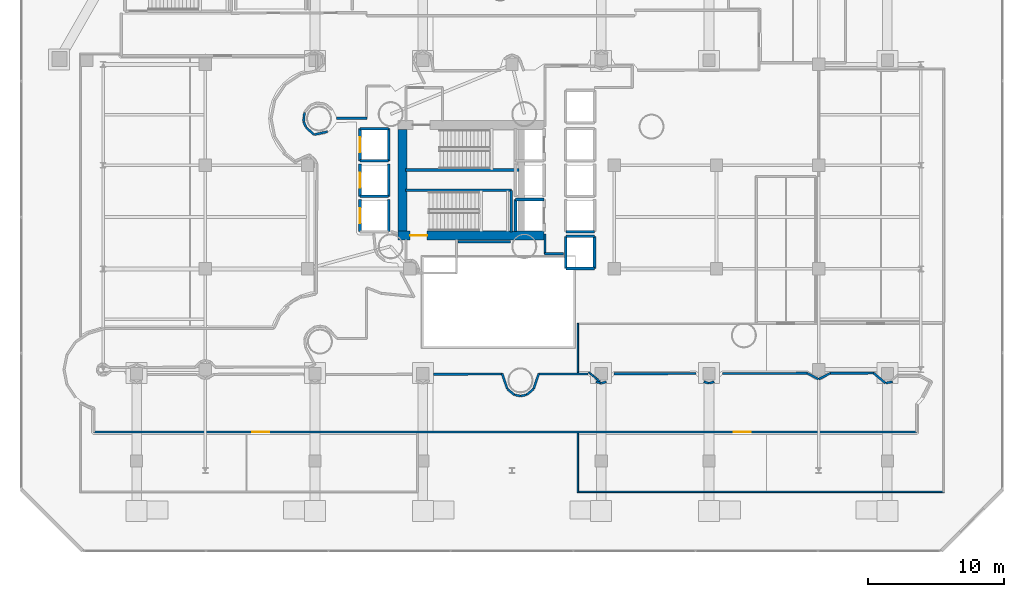
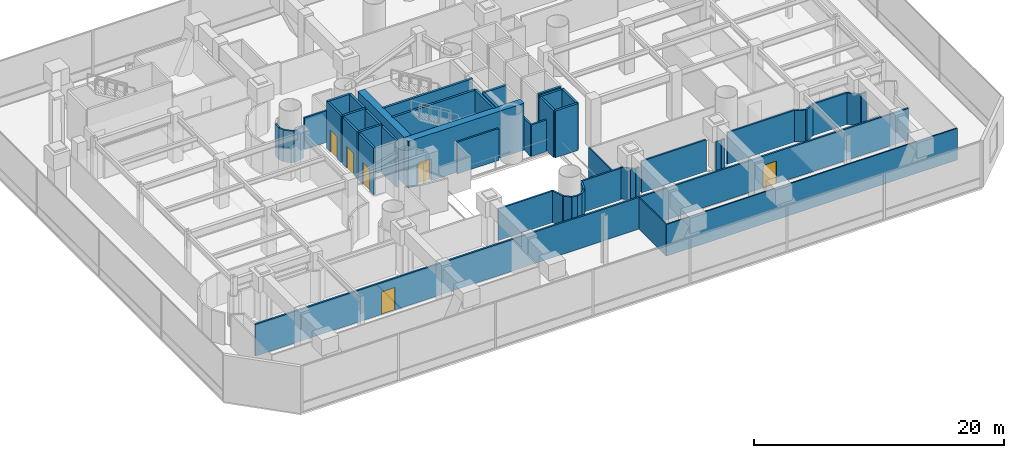
# One storey, part 32 of 45: 53 walls, 6 doors, 6 openings.
"""IFC4 building model written with IfcOpenShell, lengths in metres."""

from ifc_helpers import new_model, si_unit, direction, frame, frame_2d, origin, place, context, subcontext, project, spatial, rectangle, extrude, material, layer, layer_set, type_object, element, fill, save


model = new_model("IFC4")

# Units and contexts
model_context = context("Model", 3, precision=1e-05, world=origin(), true_north=direction((0.0, 1.0)))
body_context = subcontext(model_context, "Body", "Model", "MODEL_VIEW")
ifc_project = project(units=[si_unit("LENGTHUNIT", "METRE"), si_unit("AREAUNIT", "SQUARE_METRE"), si_unit("VOLUMEUNIT", "CUBIC_METRE"), si_unit("PLANEANGLEUNIT", "RADIAN"), si_unit("MASSUNIT", "GRAM", prefix="KILO")], contexts=[model_context])

# Site, building, storey
site_placement = place(None, origin())
site = spatial("IfcSite", under=ifc_project, at=site_placement, CompositionType="ELEMENT")
building_placement = place(site_placement, origin())
building = spatial("IfcBuilding", under=site, at=building_placement, Name="Qianvela Tower", CompositionType="ELEMENT")
storey_placement = place(building_placement, frame((0.0, 0.0, 11.0)))
storey = spatial("IfcBuildingStorey", under=building, at=storey_placement, Name="L02", CompositionType="ELEMENT", Elevation=11.0)

# Wall, opening, door
ifc_material_1 = material(Name="Concrete C60", Category="concrete")
ifc_layer_1 = layer(ifc_material_1, 0.64990234375)
ifc_layer_set_1 = layer_set([ifc_layer_1], Name="Concrete C60")
wall_type_1 = type_object("IfcWallType", Name="WT-CORE-650", PredefinedType="SHEAR", material=ifc_layer_set_1)
wall_1_placement = place(storey_placement, frame((29.1298828125, 24.655029296875, 0.0), z_axis=(0.0, 0.0, 1.0), x_axis=(1.0, 0.0, 0.0)))
wall_1 = element("IfcWall", 1, at=wall_1_placement, inside=storey, type_object=wall_type_1, Name="L02 South Core Shear Wall", PredefinedType="SHEAR", context=body_context, shape_type="SweptSolid", body=[
    extrude(rectangle(XDim=10.72021484375, YDim=0.64990234375, at=frame_2d((5.360107421875, 0.0))), origin(), (0.0, 0.0, 1.0), 4.580078125),
])
opening_1_placement = place(wall_1_placement, frame((0.89501953125, 0.0, 0.0)))
opening_1 = element("IfcOpeningElement", 2, at=opening_1_placement, cuts=wall_1, Name="Opening D-ST1", PredefinedType="OPENING", context=body_context, shape_type="SweptSolid", body=[
    extrude(rectangle(XDim=1.25, YDim=2.14990234375, at=frame_2d((0.625, 1.074951171875))), frame((0.0, 0.3349609375, 0.0), z_axis=(0.0, -1.0, 0.0), x_axis=(1.0, 0.0, 0.0)), (0.0, 0.0, 1.0), 0.669921875),
])
ifc_material_2 = material(Name="Galvanised Fire Steel Q355B", Category="steel")
door_type_1 = type_object("IfcDoorType", Name="DT-STAIR-FD90", OperationType="NOTDEFINED", PredefinedType="DOOR", material=ifc_material_2)
door_1_placement = place(opening_1_placement, origin())
door_1 = element("IfcDoor", 3, at=door_1_placement, inside=storey, type_object=door_type_1, Name="L02 Stair ST-2 Exit Door", OperationType="SINGLE_SWING_RIGHT", OverallHeight=2.14990234375, OverallWidth=1.25, PredefinedType="DOOR", context=body_context, shape_type="SweptSolid", body=[
    extrude(rectangle(XDim=1.25, YDim=2.14990234375, at=frame_2d((0.625, 1.074951171875))), frame((0.0, 0.02490234375, 0.0), z_axis=(0.0, -1.0, 0.0), x_axis=(1.0, 0.0, 0.0)), (0.0, 0.0, 1.0), 0.050048828125),
])
fill(opening_1, door_1)

# Walls
wall_2_placement = place(storey_placement, frame((29.455078125, 24.97998046875, 0.0), z_axis=(0.0, 0.0, 1.0), x_axis=(0.0, 1.0, 0.0)))
element("IfcWall", 4, at=wall_2_placement, inside=storey, type_object=wall_type_1, Name="L02 West Core Shear Wall", PredefinedType="SHEAR", context=body_context, shape_type="SweptSolid", body=[
    extrude(rectangle(XDim=7.43994140625, YDim=0.64990234375, at=frame_2d((3.719970703125, 0.0))), origin(), (0.0, 0.0, 1.0), 4.580078125),
])
ifc_material_3 = material(Name="Fire-Rated Gypsum and Concrete Block", Category="concrete")
ifc_layer_2 = layer(ifc_material_3, 0.159912109375)
ifc_layer_set_2 = layer_set([ifc_layer_2], Name="Fire-Rated Gypsum and Concrete Block")
wall_type_2 = type_object("IfcWallType", Name="WT-CORR-160", PredefinedType="PARTITIONING", material=ifc_layer_set_2)
wall_3_placement = place(storey_placement, frame((41.280029296875, 23.31103515625, 0.0), z_axis=(0.0, 0.0, 1.0), x_axis=(-1.0, 0.0, 0.0)))
element("IfcWall", 5, at=wall_3_placement, inside=storey, type_object=wall_type_2, Name="L02 Partition 22", PredefinedType="PARTITIONING", context=body_context, shape_type="SweptSolid", body=[
    extrude(rectangle(XDim=1.400146484375, YDim=0.159912109375, at=frame_2d((0.7001953125, 0.0))), origin(), (0.0, 0.0, 1.0), 3.10009765625),
])
wall_4_placement = place(storey_placement, frame((39.910888671875, 23.27978515625, 0.0), z_axis=(0.0, 0.0, 1.0), x_axis=(0.009397771291, 0.999955839972, 0.0)))
element("IfcWall", 6, at=wall_4_placement, inside=storey, type_object=wall_type_2, Name="L02 Partition 23", PredefinedType="PARTITIONING", context=body_context, shape_type="SweptSolid", body=[
    extrude(rectangle(XDim=1.480712890625, YDim=0.159912109375, at=frame_2d((0.740234375, 0.0))), origin(), (0.0, 0.0, 1.0), 3.10009765625),
])
wall_5_placement = place(storey_placement, frame((37.388671875, 24.180908203125, 0.0), z_axis=(0.0, 0.0, 1.0), x_axis=(-1.0, 0.0, 0.0)))
element("IfcWall", 7, at=wall_5_placement, inside=storey, type_object=wall_type_2, Name="L02 Partition 35", PredefinedType="PARTITIONING", context=body_context, shape_type="SweptSolid", body=[
    extrude(rectangle(XDim=3.858642578125, YDim=0.159912109375, at=frame_2d((1.92919921875, 0.0))), origin(), (0.0, 0.0, 1.0), 3.10009765625),
])
wall_6_placement = place(storey_placement, frame((31.74267578125, 14.464111328125, 0.0), z_axis=(0.0, 0.0, 1.0), x_axis=(0.999996856908, 0.002507224521, 0.0)))
element("IfcWall", 8, at=wall_6_placement, inside=storey, type_object=wall_type_2, Name="L02 Partition 58", PredefinedType="PARTITIONING", context=body_context, shape_type="SweptSolid", body=[
    extrude(rectangle(XDim=5.0634765625, YDim=0.159912109375, at=frame_2d((2.53173828125, 0.0))), origin(), (0.0, 0.0, 1.0), 3.10009765625),
])
wall_7_placement = place(storey_placement, frame((36.776611328125, 14.497802734375, 0.0), z_axis=(0.0, 0.0, 1.0), x_axis=(0.324981296344, -0.94572044338, 0.0)))
element("IfcWall", 9, at=wall_7_placement, inside=storey, type_object=wall_type_2, Name="L02 Partition 59", PredefinedType="PARTITIONING", context=body_context, shape_type="SweptSolid", body=[
    extrude(rectangle(XDim=1.177978515625, YDim=0.159912109375, at=frame_2d((0.5888671875, 0.0))), origin(), (0.0, 0.0, 1.0), 3.10009765625),
])
wall_8_placement = place(storey_placement, frame((37.169189453125, 13.369873046875, 0.0), z_axis=(0.0, 0.0, 1.0), x_axis=(0.772818338666, -0.634627304346, 0.0)))
element("IfcWall", 10, at=wall_8_placement, inside=storey, type_object=wall_type_2, Name="L02 Partition 60", PredefinedType="PARTITIONING", context=body_context, shape_type="SweptSolid", body=[
    extrude(rectangle(XDim=0.650146484375, YDim=0.159912109375, at=frame_2d((0.3251953125, 0.0))), origin(), (0.0, 0.0, 1.0), 3.10009765625),
])
for number, where, z_axis, x_axis, name in (
    (11, (37.685302734375, 12.950927734375, 0.0), (0.0, 0.0, 1.0), (0.980709346372, -0.195471680655, 0.0), "L02 Partition 61"),
    (12, (38.1259765625, 12.865478515625, 0.0), (0.0, 0.0, 1.0), (0.980709346372, 0.195471680655, 0.0), "L02 Partition 62"),
):
    element("IfcWall", number, at=place(storey_placement, frame(where, z_axis=z_axis, x_axis=x_axis)), inside=storey, type_object=wall_type_2, Name=name, PredefinedType="PARTITIONING", context=body_context, shape_type="SweptSolid", body=[
        extrude(rectangle(XDim=0.437255859375, YDim=0.159912109375, at=frame_2d((0.21875, 0.0))), origin(), (0.0, 0.0, 1.0), 3.10009765625),
    ])
wall_9_placement = place(storey_placement, frame((38.568359375, 12.957275390625, 0.0), z_axis=(0.0, 0.0, 1.0), x_axis=(0.772818338666, 0.634627304346, 0.0)))
element("IfcWall", 13, at=wall_9_placement, inside=storey, type_object=wall_type_2, Name="L02 Partition 63", PredefinedType="PARTITIONING", context=body_context, shape_type="SweptSolid", body=[
    extrude(rectangle(XDim=0.650146484375, YDim=0.159912109375, at=frame_2d((0.3251953125, 0.0))), origin(), (0.0, 0.0, 1.0), 3.10009765625),
])
wall_10_placement = place(storey_placement, frame((39.08056640625, 13.3837890625, 0.0), z_axis=(0.0, 0.0, 1.0), x_axis=(0.324745738033, 0.945801356327, 0.0)))
element("IfcWall", 14, at=wall_10_placement, inside=storey, type_object=wall_type_2, Name="L02 Partition 64", PredefinedType="PARTITIONING", context=body_context, shape_type="SweptSolid", body=[
    extrude(rectangle(XDim=1.184814453125, YDim=0.159912109375, at=frame_2d((0.59228515625, 0.0))), origin(), (0.0, 0.0, 1.0), 3.10009765625),
])
wall_11_placement = place(storey_placement, frame((39.43603515625, 14.4833984375, 0.0), z_axis=(0.0, 0.0, 1.0), x_axis=(0.999996947218, 0.002470942103, 0.0)))
element("IfcWall", 15, at=wall_11_placement, inside=storey, type_object=wall_type_2, Name="L02 Partition 65", PredefinedType="PARTITIONING", context=body_context, shape_type="SweptSolid", body=[
    extrude(rectangle(XDim=3.65576171875, YDim=0.159912109375, at=frame_2d((1.827880859375, 0.0))), origin(), (0.0, 0.0, 1.0), 3.10009765625),
])
wall_12_placement = place(storey_placement, frame((43.663330078125, 13.913330078125, 0.0), z_axis=(0.0, 0.0, 1.0), x_axis=(0.956871232999, -0.290512380904, 0.0)))
element("IfcWall", 16, at=wall_12_placement, inside=storey, type_object=wall_type_2, Name="L02 Partition 67", PredefinedType="PARTITIONING", context=body_context, shape_type="SweptSolid", body=[
    extrude(rectangle(XDim=0.38916015625, YDim=0.159912109375, at=frame_2d((0.194580078125, 0.0))), origin(), (0.0, 0.0, 1.0), 3.10009765625),
])
wall_13_placement = place(storey_placement, frame((44.0537109375, 13.80029296875, 0.0), z_axis=(0.0, 0.0, 1.0), x_axis=(0.956818229542, 0.29068690307, 0.0)))
element("IfcWall", 17, at=wall_13_placement, inside=storey, type_object=wall_type_2, Name="L02 Partition 68", PredefinedType="PARTITIONING", context=body_context, shape_type="SweptSolid", body=[
    extrude(rectangle(XDim=0.388916015625, YDim=0.159912109375, at=frame_2d((0.1943359375, 0.0))), origin(), (0.0, 0.0, 1.0), 3.10009765625),
])
wall_14_placement = place(storey_placement, frame((45.002197265625, 14.497314453125, 0.0), z_axis=(0.0, 0.0, 1.0), x_axis=(0.999996899713, 0.002490093109, 0.0)))
element("IfcWall", 18, at=wall_14_placement, inside=storey, type_object=wall_type_2, Name="L02 Partition 70", PredefinedType="PARTITIONING", context=body_context, shape_type="SweptSolid", body=[
    extrude(rectangle(XDim=5.980712890625, YDim=0.159912109375, at=frame_2d((2.990234375, 0.0))), origin(), (0.0, 0.0, 1.0), 3.10009765625),
])
wall_15_placement = place(storey_placement, frame((51.57421875, 13.913330078125, 0.0), z_axis=(0.0, 0.0, 1.0), x_axis=(0.956818229542, -0.29068690307, 0.0)))
element("IfcWall", 19, at=wall_15_placement, inside=storey, type_object=wall_type_2, Name="L02 Partition 72", PredefinedType="PARTITIONING", context=body_context, shape_type="SweptSolid", body=[
    extrude(rectangle(XDim=0.388916015625, YDim=0.159912109375, at=frame_2d((0.1943359375, 0.0))), origin(), (0.0, 0.0, 1.0), 3.10009765625),
])
wall_16_placement = place(storey_placement, frame((51.96435546875, 13.80029296875, 0.0), z_axis=(0.0, 0.0, 1.0), x_axis=(0.956871232999, 0.290512380904, 0.0)))
element("IfcWall", 20, at=wall_16_placement, inside=storey, type_object=wall_type_2, Name="L02 Partition 73", PredefinedType="PARTITIONING", context=body_context, shape_type="SweptSolid", body=[
    extrude(rectangle(XDim=0.38916015625, YDim=0.159912109375, at=frame_2d((0.194580078125, 0.0))), origin(), (0.0, 0.0, 1.0), 3.10009765625),
])
wall_17_placement = place(storey_placement, frame((52.932861328125, 14.51708984375, 0.0), z_axis=(0.0, 0.0, 1.0), x_axis=(0.999996863017, 0.002504786475, 0.0)))
element("IfcWall", 21, at=wall_17_placement, inside=storey, type_object=wall_type_2, Name="L02 Partition 75", PredefinedType="PARTITIONING", context=body_context, shape_type="SweptSolid", body=[
    extrude(rectangle(XDim=6.238037109375, YDim=0.159912109375, at=frame_2d((3.119140625, 0.0))), origin(), (0.0, 0.0, 1.0), 3.10009765625),
])
wall_18_placement = place(storey_placement, frame((59.156494140625, 14.536376953125, 0.0), z_axis=(0.0, 0.0, 1.0), x_axis=(0.886030613639, -0.463626737467, 0.0)))
element("IfcWall", 22, at=wall_18_placement, inside=storey, type_object=wall_type_2, Name="L02 Partition 76", PredefinedType="PARTITIONING", context=body_context, shape_type="SweptSolid", body=[
    extrude(rectangle(XDim=0.935791015625, YDim=0.159912109375, at=frame_2d((0.4677734375, 0.0))), origin(), (0.0, 0.0, 1.0), 3.10009765625),
])
wall_19_placement = place(storey_placement, frame((60.014404296875, 14.1025390625, 0.0), z_axis=(0.0, 0.0, 1.0), x_axis=(0.885775798401, 0.464113385895, 0.0)))
element("IfcWall", 23, at=wall_19_placement, inside=storey, type_object=wall_type_2, Name="L02 Partition 77", PredefinedType="PARTITIONING", context=body_context, shape_type="SweptSolid", body=[
    extrude(rectangle(XDim=0.943115234375, YDim=0.159912109375, at=frame_2d((0.4716796875, 0.0))), origin(), (0.0, 0.0, 1.0), 3.10009765625),
])
wall_20_placement = place(storey_placement, frame((60.83544921875, 14.536865234375, 0.0), z_axis=(0.0, 0.0, 1.0), x_axis=(0.99999684785, 0.002510834359, 0.0)))
element("IfcWall", 24, at=wall_20_placement, inside=storey, type_object=wall_type_2, Name="L02 Partition 78", PredefinedType="PARTITIONING", context=body_context, shape_type="SweptSolid", body=[
    extrude(rectangle(XDim=3.208740234375, YDim=0.159912109375, at=frame_2d((1.6044921875, 0.0))), origin(), (0.0, 0.0, 1.0), 3.10009765625),
])
wall_21_placement = place(storey_placement, frame((64.02392578125, 14.55224609375, 0.0), z_axis=(0.0, 0.0, 1.0), x_axis=(0.764638438323, -0.644459508921, 0.0)))
element("IfcWall", 25, at=wall_21_placement, inside=storey, type_object=wall_type_2, Name="L02 Partition 79", PredefinedType="PARTITIONING", context=body_context, shape_type="SweptSolid", body=[
    extrude(rectangle(XDim=1.1376953125, YDim=0.159912109375, at=frame_2d((0.56884765625, 0.0))), origin(), (0.0, 0.0, 1.0), 3.10009765625),
])
wall_22_placement = place(storey_placement, frame((64.919921875, 13.8125, 0.0), z_axis=(0.0, 0.0, 1.0), x_axis=(0.980763363144, 0.195200475189, 0.0)))
element("IfcWall", 26, at=wall_22_placement, inside=storey, type_object=wall_type_2, Name="L02 Partition 80", PredefinedType="PARTITIONING", context=body_context, shape_type="SweptSolid", body=[
    extrude(rectangle(XDim=0.5126953125, YDim=0.159912109375, at=frame_2d((0.25634765625, 0.0))), origin(), (0.0, 0.0, 1.0), 3.10009765625),
])

# Wall, openings, doors
wall_23_placement = place(storey_placement, frame((67.199951171875, 10.23095703125, 0.0), z_axis=(0.0, 0.0, 1.0), x_axis=(-1.0, 0.0, 0.0)))
wall_23 = element("IfcWall", 27, at=wall_23_placement, inside=storey, type_object=wall_type_2, Name="L02 Partition 85", PredefinedType="PARTITIONING", context=body_context, shape_type="SweptSolid", body=[
    extrude(rectangle(XDim=60.39990234375, YDim=0.159912109375, at=frame_2d((30.199951171875, 0.0))), origin(), (0.0, 0.0, 1.0), 3.10009765625),
])
opening_2_placement = place(wall_23_placement, frame((47.50341796875, 0.0, 0.0)))
opening_2 = element("IfcOpeningElement", 28, at=opening_2_placement, cuts=wall_23, Name="Opening D-LG1", PredefinedType="OPENING", context=body_context, shape_type="SweptSolid", body=[
    extrude(rectangle(XDim=1.25, YDim=2.199951171875, at=frame_2d((0.625, 1.10009765625))), frame((0.0, 0.08984375, 0.0), z_axis=(0.0, -1.0, 0.0), x_axis=(1.0, 0.0, 0.0)), (0.0, 0.0, 1.0), 0.179931640625),
])
opening_3_placement = place(wall_23_placement, frame((12.19677734375, 0.0, 0.0)))
opening_3 = element("IfcOpeningElement", 29, at=opening_3_placement, cuts=wall_23, Name="Opening D-LG1", PredefinedType="OPENING", context=body_context, shape_type="SweptSolid", body=[
    extrude(rectangle(XDim=1.25, YDim=2.199951171875, at=frame_2d((0.625, 1.10009765625))), frame((0.0, 0.08984375, 0.0), z_axis=(0.0, -1.0, 0.0), x_axis=(1.0, 0.0, 0.0)), (0.0, 0.0, 1.0), 0.179931640625),
])
ifc_material_4 = material(Name="Anodised Aluminium Acoustic Glass Door", Category="aluminium")
door_type_2 = type_object("IfcDoorType", Name="DT-LOUNGE-1250", OperationType="NOTDEFINED", PredefinedType="DOOR", material=ifc_material_4)
door_2_placement = place(opening_2_placement, origin())
door_2 = element("IfcDoor", 30, at=door_2_placement, inside=storey, type_object=door_type_2, Name="L02 Door L02 Co-working Innovation Office South to L02 Concourse Gallery Corridor", OperationType="SINGLE_SWING_RIGHT", OverallHeight=2.199951171875, OverallWidth=1.25, PredefinedType="DOOR", context=body_context, shape_type="SweptSolid", body=[
    extrude(rectangle(XDim=1.25, YDim=2.199951171875, at=frame_2d((0.625, 1.10009765625))), frame((0.0, 0.02490234375, 0.0), z_axis=(0.0, -1.0, 0.0), x_axis=(1.0, 0.0, 0.0)), (0.0, 0.0, 1.0), 0.050048828125),
])
fill(opening_2, door_2)
door_3_placement = place(opening_3_placement, origin())
door_3 = element("IfcDoor", 31, at=door_3_placement, inside=storey, type_object=door_type_2, Name="L02 Door L02 Co-working Desk Workspace East to L02 Concourse Gallery Corridor", OperationType="SINGLE_SWING_LEFT", OverallHeight=2.199951171875, OverallWidth=1.25, PredefinedType="DOOR", context=body_context, shape_type="SweptSolid", body=[
    extrude(rectangle(XDim=1.25, YDim=2.199951171875, at=frame_2d((0.625, 1.10009765625))), frame((0.0, 0.02490234375, 0.0), z_axis=(0.0, -1.0, 0.0), x_axis=(1.0, 0.0, 0.0)), (0.0, 0.0, 1.0), 0.050048828125),
])
fill(opening_3, door_3)

# Walls
wall_24_placement = place(storey_placement, frame((26.849853515625, 33.24853515625, 0.0), z_axis=(0.0, 0.0, 1.0), x_axis=(-0.999996856591, -0.002507350671, 0.0)))
element("IfcWall", 32, at=wall_24_placement, inside=storey, type_object=wall_type_2, Name="L02 Partition 142", PredefinedType="PARTITIONING", context=body_context, shape_type="SweptSolid", body=[
    extrude(rectangle(XDim=2.239501953125, YDim=0.159912109375, at=frame_2d((1.11962890625, 0.0))), origin(), (0.0, 0.0, 1.0), 3.10009765625),
])
wall_25_placement = place(storey_placement, frame((22.2724609375, 33.65966796875, 0.0), z_axis=(0.0, 0.0, 1.0), x_axis=(-0.097979696722, -0.995188413834, 0.0)))
element("IfcWall", 33, at=wall_25_placement, inside=storey, type_object=wall_type_2, Name="L02 Partition 148", PredefinedType="PARTITIONING", context=body_context, shape_type="SweptSolid", body=[
    extrude(rectangle(XDim=0.650390625, YDim=0.159912109375, at=frame_2d((0.3251953125, 0.0))), origin(), (0.0, 0.0, 1.0), 3.10009765625),
])
wall_26_placement = place(storey_placement, frame((22.2109375, 32.99755859375, 0.0), z_axis=(0.0, 0.0, 1.0), x_axis=(0.382828912614, -0.923819259199, 0.0)))
element("IfcWall", 34, at=wall_26_placement, inside=storey, type_object=wall_type_2, Name="L02 Partition 149", PredefinedType="PARTITIONING", context=body_context, shape_type="SweptSolid", body=[
    extrude(rectangle(XDim=0.436767578125, YDim=0.159912109375, at=frame_2d((0.21826171875, 0.0))), origin(), (0.0, 0.0, 1.0), 3.10009765625),
])
wall_27_placement = place(storey_placement, frame((22.3857421875, 32.5830078125, 0.0), z_axis=(0.0, 0.0, 1.0), x_axis=(0.737256999292, -0.675612401452, 0.0)))
element("IfcWall", 35, at=wall_27_placement, inside=storey, type_object=wall_type_2, Name="L02 Partition 150", PredefinedType="PARTITIONING", context=body_context, shape_type="SweptSolid", body=[
    extrude(rectangle(XDim=0.7880859375, YDim=0.159912109375, at=frame_2d((0.39404296875, 0.0))), origin(), (0.0, 0.0, 1.0), 3.10009765625),
])
wall_28_placement = place(storey_placement, frame((22.99462890625, 32.043212890625, 0.0), z_axis=(0.0, 0.0, 1.0), x_axis=(0.974625677984, 0.22384098779, 0.0)))
element("IfcWall", 36, at=wall_28_placement, inside=storey, type_object=wall_type_2, Name="L02 Partition 151", PredefinedType="PARTITIONING", context=body_context, shape_type="SweptSolid", body=[
    extrude(rectangle(XDim=0.998046875, YDim=0.159912109375, at=frame_2d((0.4990234375, 0.0))), origin(), (0.0, 0.0, 1.0), 3.10009765625),
])
ifc_material_5 = material(Name="Lightweight Gypsum Room Partition")
ifc_layer_3 = layer(ifc_material_5, 0.10498046875)
ifc_layer_set_3 = layer_set([ifc_layer_3], Name="Lightweight Gypsum Room Partition")
wall_type_3 = type_object("IfcWallType", Name="WT-PART-105", PredefinedType="PARTITIONING", material=ifc_layer_set_3)
wall_29_placement = place(storey_placement, frame((42.3310546875, 5.800048828125, 0.0), z_axis=(0.0, 0.0, 1.0), x_axis=(0.0, 1.0, 0.0)))
element("IfcWall", 37, at=wall_29_placement, inside=storey, type_object=wall_type_3, Name="L02 Partition 203", PredefinedType="PARTITIONING", context=body_context, shape_type="SweptSolid", body=[
    extrude(rectangle(XDim=4.337890625, YDim=0.10498046875, at=frame_2d((2.1689453125, 0.0))), origin(), (0.0, 0.0, 1.0), 3.10009765625),
])
wall_30_placement = place(storey_placement, frame((42.3310546875, 14.58349609375, 0.0), z_axis=(0.0, 0.0, 1.0), x_axis=(0.0, 1.0, 0.0)))
element("IfcWall", 38, at=wall_30_placement, inside=storey, type_object=wall_type_3, Name="L02 Partition 221", PredefinedType="PARTITIONING", context=body_context, shape_type="SweptSolid", body=[
    extrude(rectangle(XDim=3.616455078125, YDim=0.10498046875, at=frame_2d((1.80810546875, 0.0))), origin(), (0.0, 0.0, 1.0), 3.10009765625),
])
ifc_material_6 = material(Name="Insulated Gypsum Stud Partition")
ifc_layer_4 = layer(ifc_material_6, 0.1201171875)
ifc_layer_set_4 = layer_set([ifc_layer_4], Name="Insulated Gypsum Stud Partition")
wall_type_4 = type_object("IfcWallType", Name="WT-PART-120", PredefinedType="PARTITIONING", material=ifc_layer_set_4)
wall_31_placement = place(storey_placement, frame((69.199951171875, 5.8310546875, 0.0), z_axis=(0.0, 0.0, 1.0), x_axis=(-1.0, 0.0, 0.0)))
element("IfcWall", 39, at=wall_31_placement, inside=storey, type_object=wall_type_4, Name="L02 Partition 202", PredefinedType="PARTITIONING", context=body_context, shape_type="SweptSolid", body=[
    extrude(rectangle(XDim=26.89990234375, YDim=0.1201171875, at=frame_2d((13.449951171875, 0.0))), origin(), (0.0, 0.0, 1.0), 3.10009765625),
])
wall_32_placement = place(storey_placement, frame((43.948974609375, 13.927490234375, 0.0), z_axis=(0.0, 0.0, 1.0), x_axis=(-0.768618080951, 0.639707937761, 0.0)))
element("IfcWall", 40, at=wall_32_placement, inside=storey, type_object=wall_type_4, Name="L02 Partition 220", PredefinedType="PARTITIONING", context=body_context, shape_type="SweptSolid", body=[
    extrude(rectangle(XDim=1.05859375, YDim=0.1201171875, at=frame_2d((0.529296875, 0.0))), origin(), (0.0, 0.0, 1.0), 3.10009765625),
])
ifc_material_7 = material(Name="Concrete C50", Category="concrete")
ifc_layer_5 = layer(ifc_material_7, 0.199951171875)
ifc_layer_set_5 = layer_set([ifc_layer_5], Name="Concrete C50")
wall_type_5 = type_object("IfcWallType", Name="WT-SHAFT-200", PredefinedType="SOLIDWALL", material=ifc_layer_set_5)
wall_33_placement = place(storey_placement, frame((29.699951171875, 29.449951171875, 0.0), z_axis=(0.0, 0.0, 1.0), x_axis=(1.0, 0.0, 0.0)))
element("IfcWall", 41, at=wall_33_placement, inside=storey, type_object=wall_type_5, Name="L02 Stair ST-1 South Wall", PredefinedType="SOLIDWALL", context=body_context, shape_type="SweptSolid", body=[
    extrude(rectangle(XDim=8.300048828125, YDim=0.199951171875, at=frame_2d((4.14990234375, 0.0))), origin(), (0.0, 0.0, 1.0), 4.580078125),
])
wall_34_placement = place(storey_placement, frame((29.699951171875, 27.9599609375, 0.0), z_axis=(0.0, 0.0, 1.0), x_axis=(1.0, 0.0, 0.0)))
element("IfcWall", 42, at=wall_34_placement, inside=storey, type_object=wall_type_5, Name="L02 Stair ST-2 North Wall", PredefinedType="SOLIDWALL", context=body_context, shape_type="SweptSolid", body=[
    extrude(rectangle(XDim=7.75, YDim=0.199951171875, at=frame_2d((3.875, 0.0))), origin(), (0.0, 0.0, 1.0), 4.580078125),
])
wall_35_placement = place(storey_placement, frame((37.449951171875, 24.89990234375, 0.0), z_axis=(0.0, 0.0, 1.0), x_axis=(0.0, 1.0, 0.0)))
element("IfcWall", 43, at=wall_35_placement, inside=storey, type_object=wall_type_5, Name="L02 Stair ST-2 East Wall", PredefinedType="SOLIDWALL", context=body_context, shape_type="SweptSolid", body=[
    extrude(rectangle(XDim=3.06005859375, YDim=0.199951171875, at=frame_2d((1.530029296875, 0.0))), origin(), (0.0, 0.0, 1.0), 4.580078125),
])
wall_36_placement = place(storey_placement, frame((37.75, 24.919921875, 0.0), z_axis=(0.0, 0.0, 1.0), x_axis=(0.0, 1.0, 0.0)))
element("IfcWall", 44, at=wall_36_placement, inside=storey, type_object=wall_type_5, Name="L02 Lift FL-2 W Shaft Wall", PredefinedType="SOLIDWALL", context=body_context, shape_type="SweptSolid", body=[
    extrude(rectangle(XDim=2.360107421875, YDim=0.199951171875, at=frame_2d((1.18017578125, 0.0))), origin(), (0.0, 0.0, 1.0), 4.580078125),
])
wall_37_placement = place(storey_placement, frame((37.75, 27.280029296875, 0.0), z_axis=(0.0, 0.0, 1.0), x_axis=(1.0, 0.0, 0.0)))
element("IfcWall", 45, at=wall_37_placement, inside=storey, type_object=wall_type_5, Name="L02 Lift FL-2 N Shaft Wall", PredefinedType="SOLIDWALL", context=body_context, shape_type="SweptSolid", body=[
    extrude(rectangle(XDim=2.10009765625, YDim=0.199951171875, at=frame_2d((1.050048828125, 0.0))), origin(), (0.0, 0.0, 1.0), 4.580078125),
])
wall_38_placement = place(storey_placement, frame((28.449951171875, 30.1201171875, 0.0), z_axis=(0.0, 0.0, 1.0), x_axis=(0.0, 1.0, 0.0)))
element("IfcWall", 46, at=wall_38_placement, inside=storey, type_object=wall_type_5, Name="L02 Lift PL-L1 E Shaft Wall", PredefinedType="SOLIDWALL", context=body_context, shape_type="SweptSolid", body=[
    extrude(rectangle(XDim=2.35986328125, YDim=0.199951171875, at=frame_2d((1.179931640625, 0.0))), origin(), (0.0, 0.0, 1.0), 4.580078125),
])

# Wall, opening, door
wall_39_placement = place(storey_placement, frame((26.35009765625, 30.1201171875, 0.0), z_axis=(0.0, 0.0, 1.0), x_axis=(0.0, 1.0, 0.0)))
wall_39 = element("IfcWall", 47, at=wall_39_placement, inside=storey, type_object=wall_type_5, Name="L02 Lift PL-L1 W Shaft Wall", PredefinedType="SOLIDWALL", context=body_context, shape_type="SweptSolid", body=[
    extrude(rectangle(XDim=2.35986328125, YDim=0.199951171875, at=frame_2d((1.179931640625, 0.0))), origin(), (0.0, 0.0, 1.0), 4.580078125),
])
opening_4_placement = place(wall_39_placement, frame((0.6298828125, 0.0, 0.0)))
opening_4 = element("IfcOpeningElement", 48, at=opening_4_placement, cuts=wall_39, Name="Opening LD-01", PredefinedType="OPENING", context=body_context, shape_type="SweptSolid", body=[
    extrude(rectangle(XDim=1.10009765625, YDim=2.14990234375, at=frame_2d((0.550048828125, 1.074951171875))), frame((0.0, 0.10986328125, 0.0), z_axis=(0.0, -1.0, 0.0), x_axis=(1.0, 0.0, 0.0)), (0.0, 0.0, 1.0), 0.219970703125),
])
ifc_material_8 = material(Name="Brushed Stainless Steel Lift Landing Door", Category="steel")
door_type_3 = type_object("IfcDoorType", Name="DT-LIFT-SLIDE-1100", OperationType="SLIDING_TO_LEFT", PredefinedType="DOOR", material=ifc_material_8)
door_4_placement = place(opening_4_placement, origin())
door_4 = element("IfcDoor", 49, at=door_4_placement, inside=storey, type_object=door_type_3, Name="L02 Lift PL-L1 Sliding Landing Door", OperationType="SLIDING_TO_LEFT", OverallHeight=2.14990234375, OverallWidth=1.10009765625, PredefinedType="DOOR", context=body_context, shape_type="SweptSolid", body=[
    extrude(rectangle(XDim=1.10009765625, YDim=2.14990234375, at=frame_2d((0.550048828125, 1.074951171875))), frame((0.0, 0.02490234375, 0.0), z_axis=(0.0, -1.0, 0.0), x_axis=(1.0, 0.0, 0.0)), (0.0, 0.0, 1.0), 0.050048828125),
])
fill(opening_4, door_4)

# Walls
for number, where, z_axis, x_axis, name in (
    (50, (26.35009765625, 32.47998046875, 0.0), (0.0, 0.0, 1.0), (1.0, 0.0, 0.0), "L02 Lift PL-L1 N Shaft Wall"),
    (51, (26.35009765625, 30.1201171875, 0.0), (0.0, 0.0, 1.0), (1.0, 0.0, 0.0), "L02 Lift PL-L1 S Shaft Wall"),
):
    element("IfcWall", number, at=place(storey_placement, frame(where, z_axis=z_axis, x_axis=x_axis)), inside=storey, type_object=wall_type_5, Name=name, PredefinedType="SOLIDWALL", context=body_context, shape_type="SweptSolid", body=[
        extrude(rectangle(XDim=2.099853515625, YDim=0.199951171875, at=frame_2d((1.0498046875, 0.0))), origin(), (0.0, 0.0, 1.0), 4.580078125),
    ])
wall_40_placement = place(storey_placement, frame((28.449951171875, 27.52001953125, 0.0), z_axis=(0.0, 0.0, 1.0), x_axis=(0.0, 1.0, 0.0)))
element("IfcWall", 52, at=wall_40_placement, inside=storey, type_object=wall_type_5, Name="L02 Lift PL-L2 E Shaft Wall", PredefinedType="SOLIDWALL", context=body_context, shape_type="SweptSolid", body=[
    extrude(rectangle(XDim=2.35986328125, YDim=0.199951171875, at=frame_2d((1.179931640625, 0.0))), origin(), (0.0, 0.0, 1.0), 4.580078125),
])

# Wall, opening, door
wall_41_placement = place(storey_placement, frame((26.35009765625, 27.52001953125, 0.0), z_axis=(0.0, 0.0, 1.0), x_axis=(0.0, 1.0, 0.0)))
wall_41 = element("IfcWall", 53, at=wall_41_placement, inside=storey, type_object=wall_type_5, Name="L02 Lift PL-L2 W Shaft Wall", PredefinedType="SOLIDWALL", context=body_context, shape_type="SweptSolid", body=[
    extrude(rectangle(XDim=2.35986328125, YDim=0.199951171875, at=frame_2d((1.179931640625, 0.0))), origin(), (0.0, 0.0, 1.0), 4.580078125),
])
opening_5_placement = place(wall_41_placement, frame((0.6298828125, 0.0, 0.0)))
opening_5 = element("IfcOpeningElement", 54, at=opening_5_placement, cuts=wall_41, Name="Opening LD-01", PredefinedType="OPENING", context=body_context, shape_type="SweptSolid", body=[
    extrude(rectangle(XDim=1.10009765625, YDim=2.14990234375, at=frame_2d((0.550048828125, 1.074951171875))), frame((0.0, 0.10986328125, 0.0), z_axis=(0.0, -1.0, 0.0), x_axis=(1.0, 0.0, 0.0)), (0.0, 0.0, 1.0), 0.219970703125),
])
door_5_placement = place(opening_5_placement, origin())
door_5 = element("IfcDoor", 55, at=door_5_placement, inside=storey, type_object=door_type_3, Name="L02 Lift PL-L2 Sliding Landing Door", OperationType="SLIDING_TO_LEFT", OverallHeight=2.14990234375, OverallWidth=1.10009765625, PredefinedType="DOOR", context=body_context, shape_type="SweptSolid", body=[
    extrude(rectangle(XDim=1.10009765625, YDim=2.14990234375, at=frame_2d((0.550048828125, 1.074951171875))), frame((0.0, 0.02490234375, 0.0), z_axis=(0.0, -1.0, 0.0), x_axis=(1.0, 0.0, 0.0)), (0.0, 0.0, 1.0), 0.050048828125),
])
fill(opening_5, door_5)

# Walls
wall_42_placement = place(storey_placement, frame((26.35009765625, 27.52001953125, 0.0), z_axis=(0.0, 0.0, 1.0), x_axis=(1.0, 0.0, 0.0)))
element("IfcWall", 56, at=wall_42_placement, inside=storey, type_object=wall_type_5, Name="L02 Lift PL-L2 S Shaft Wall", PredefinedType="SOLIDWALL", context=body_context, shape_type="SweptSolid", body=[
    extrude(rectangle(XDim=2.099853515625, YDim=0.199951171875, at=frame_2d((1.0498046875, 0.0))), origin(), (0.0, 0.0, 1.0), 4.580078125),
])
wall_43_placement = place(storey_placement, frame((28.449951171875, 24.919921875, 0.0), z_axis=(0.0, 0.0, 1.0), x_axis=(0.0, 1.0, 0.0)))
element("IfcWall", 57, at=wall_43_placement, inside=storey, type_object=wall_type_5, Name="L02 Lift PL-L3 E Shaft Wall", PredefinedType="SOLIDWALL", context=body_context, shape_type="SweptSolid", body=[
    extrude(rectangle(XDim=2.360107421875, YDim=0.199951171875, at=frame_2d((1.18017578125, 0.0))), origin(), (0.0, 0.0, 1.0), 4.580078125),
])

# Wall, opening, door
wall_44_placement = place(storey_placement, frame((26.35009765625, 24.919921875, 0.0), z_axis=(0.0, 0.0, 1.0), x_axis=(0.0, 1.0, 0.0)))
wall_44 = element("IfcWall", 58, at=wall_44_placement, inside=storey, type_object=wall_type_5, Name="L02 Lift PL-L3 W Shaft Wall", PredefinedType="SOLIDWALL", context=body_context, shape_type="SweptSolid", body=[
    extrude(rectangle(XDim=2.360107421875, YDim=0.199951171875, at=frame_2d((1.18017578125, 0.0))), origin(), (0.0, 0.0, 1.0), 4.580078125),
])
opening_6_placement = place(wall_44_placement, frame((0.6298828125, 0.0, 0.0)))
opening_6 = element("IfcOpeningElement", 59, at=opening_6_placement, cuts=wall_44, Name="Opening LD-01", PredefinedType="OPENING", context=body_context, shape_type="SweptSolid", body=[
    extrude(rectangle(XDim=1.10009765625, YDim=2.14990234375, at=frame_2d((0.550048828125, 1.074951171875))), frame((0.0, 0.10986328125, 0.0), z_axis=(0.0, -1.0, 0.0), x_axis=(1.0, 0.0, 0.0)), (0.0, 0.0, 1.0), 0.219970703125),
])
door_6_placement = place(opening_6_placement, origin())
door_6 = element("IfcDoor", 60, at=door_6_placement, inside=storey, type_object=door_type_3, Name="L02 Lift PL-L3 Sliding Landing Door", OperationType="SLIDING_TO_LEFT", OverallHeight=2.14990234375, OverallWidth=1.10009765625, PredefinedType="DOOR", context=body_context, shape_type="SweptSolid", body=[
    extrude(rectangle(XDim=1.10009765625, YDim=2.14990234375, at=frame_2d((0.550048828125, 1.074951171875))), frame((0.0, 0.02490234375, 0.0), z_axis=(0.0, -1.0, 0.0), x_axis=(1.0, 0.0, 0.0)), (0.0, 0.0, 1.0), 0.050048828125),
])
fill(opening_6, door_6)

# Walls
wall_45_placement = place(storey_placement, frame((41.449951171875, 24.919921875, 0.0), z_axis=(0.0, 0.0, 1.0), x_axis=(1.0, 0.0, 0.0)))
element("IfcWall", 61, at=wall_45_placement, inside=storey, type_object=wall_type_5, Name="L02 Lift PL-M3 S Shaft Wall", PredefinedType="SOLIDWALL", context=body_context, shape_type="SweptSolid", body=[
    extrude(rectangle(XDim=2.10009765625, YDim=0.199951171875, at=frame_2d((1.050048828125, 0.0))), origin(), (0.0, 0.0, 1.0), 4.580078125),
])
for number, where, z_axis, x_axis, name in (
    (62, (43.550048828125, 22.219970703125, 0.0), (0.0, 0.0, 1.0), (0.0, 1.0, 0.0), "L02 Lift PL-H2 E Shaft Wall"),
    (63, (41.449951171875, 22.219970703125, 0.0), (0.0, 0.0, 1.0), (0.0, 1.0, 0.0), "L02 Lift PL-H2 W Shaft Wall"),
):
    element("IfcWall", number, at=place(storey_placement, frame(where, z_axis=z_axis, x_axis=x_axis)), inside=storey, type_object=wall_type_5, Name=name, PredefinedType="SOLIDWALL", context=body_context, shape_type="SweptSolid", body=[
        extrude(rectangle(XDim=2.360107421875, YDim=0.199951171875, at=frame_2d((1.18017578125, 0.0))), origin(), (0.0, 0.0, 1.0), 4.580078125),
    ])
for number, where, z_axis, x_axis, name in (
    (64, (41.449951171875, 24.580078125, 0.0), (0.0, 0.0, 1.0), (1.0, 0.0, 0.0), "L02 Lift PL-H2 N Shaft Wall"),
    (65, (41.449951171875, 22.219970703125, 0.0), (0.0, 0.0, 1.0), (1.0, 0.0, 0.0), "L02 Lift PL-H2 S Shaft Wall"),
):
    element("IfcWall", number, at=place(storey_placement, frame(where, z_axis=z_axis, x_axis=x_axis)), inside=storey, type_object=wall_type_5, Name=name, PredefinedType="SOLIDWALL", context=body_context, shape_type="SweptSolid", body=[
        extrude(rectangle(XDim=2.10009765625, YDim=0.199951171875, at=frame_2d((1.050048828125, 0.0))), origin(), (0.0, 0.0, 1.0), 4.580078125),
    ])

save(model, "model.ifc")
